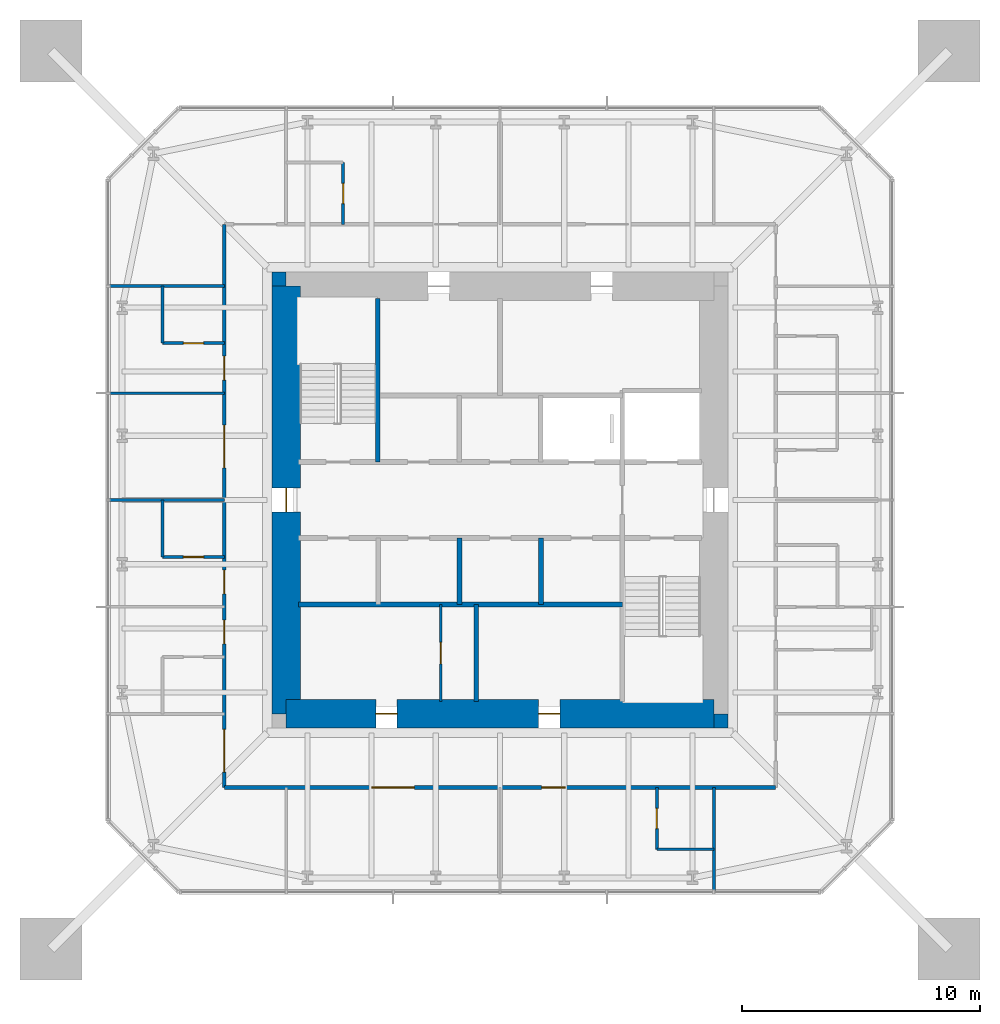
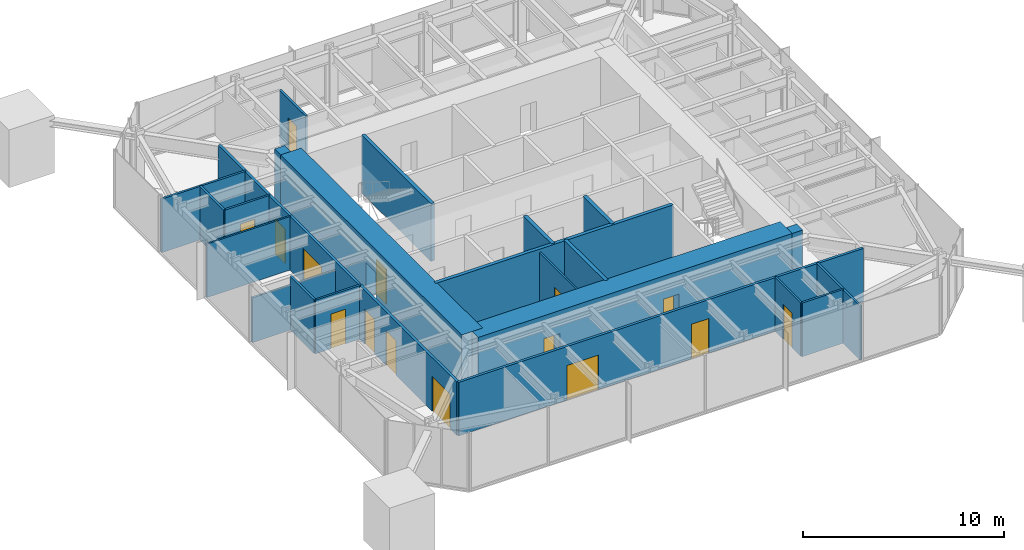
# One storey, part 6 of 9: 23 walls, 15 doors, 15 openings.
"""IFC4 building model written with IfcOpenShell, lengths in metres."""

from ifc_helpers import new_model, si_unit, direction, frame, frame_2d, origin, place, context, subcontext, project, spatial, rectangle, extrude, material, layer, layer_set, type_object, element, fill, save


model = new_model("IFC4")

# Units and contexts
model_context = context("Model", 3, precision=1e-05, world=origin(), true_north=direction((0.0, 1.0)))
body_context = subcontext(model_context, "Body", "Model", "MODEL_VIEW")
ifc_project = project(units=[si_unit("LENGTHUNIT", "METRE"), si_unit("AREAUNIT", "SQUARE_METRE"), si_unit("VOLUMEUNIT", "CUBIC_METRE"), si_unit("PLANEANGLEUNIT", "RADIAN"), si_unit("MASSUNIT", "GRAM", prefix="KILO")], contexts=[model_context])

# Site, building, storey
site_placement = place(None, origin())
site = spatial("IfcSite", under=ifc_project, at=site_placement, CompositionType="ELEMENT")
building_placement = place(site_placement, origin())
building = spatial("IfcBuilding", under=site, at=building_placement, Name="Iwan Alto Co-Living Towers", CompositionType="ELEMENT")
storey_placement = place(building_placement, frame((0.0, 0.0, 264.0)))
storey = spatial("IfcBuildingStorey", under=building, at=storey_placement, Name="L72", CompositionType="ELEMENT", Elevation=264.0)

# Wall, openings, doors
ifc_material_1 = material(Name="Gypsum board")
ifc_layer_1 = layer(ifc_material_1, 0.02490234375, Name="Board", Category="Finish")
ifc_material_2 = material(Name="Steel ASTM A1003 ST33H cold-formed studs", Category="steel")
ifc_layer_2 = layer(ifc_material_2, 0.10009765625, Name="Studs", Category="Framing")
ifc_layer_3 = layer(ifc_material_1, 0.02490234375, Name="Board", Category="Finish")
ifc_layer_set_1 = layer_set([ifc_layer_1, ifc_layer_2, ifc_layer_3], Name="CORRIDOR WALL 150")
wall_type_1 = type_object("IfcWallType", Name="CORRIDOR WALL 150", PredefinedType="PARTITIONING", material=ifc_layer_set_1)
wall_1_placement = place(storey_placement, frame((-11.60009765625, -12.10009765625, 0.0), z_axis=(0.0, 0.0, 1.0), x_axis=(1.0, 0.0, 0.0)))
wall_1 = element("IfcWall", 1, at=wall_1_placement, inside=storey, type_object=wall_type_1, Name="Partition L72", PredefinedType="PARTITIONING", context=body_context, shape_type="SweptSolid", body=[
    extrude(rectangle(XDim=23.2001953125, YDim=0.14990234375, at=frame_2d((11.60009765625, 0.0))), origin(), (0.0, 0.0, 1.0), 3.25),
])
opening_1_placement = place(wall_1_placement, frame((6.199951171875, 0.0, 0.0)))
opening_1 = element("IfcOpeningElement", 2, at=opening_1_placement, cuts=wall_1, Name="Opening D9", PredefinedType="OPENING", context=body_context, shape_type="SweptSolid", body=[
    extrude(rectangle(XDim=1.800048828125, YDim=2.10009765625, at=frame_2d((0.89990234375, 1.050048828125))), frame((0.0, 0.0849609375, 0.0), z_axis=(0.0, -1.0, 0.0), x_axis=(1.0, 0.0, 0.0)), (0.0, 0.0, 1.0), 0.169921875),
])
opening_2_placement = place(wall_1_placement, frame((13.35009765625, 0.0, 0.0)))
opening_2 = element("IfcOpeningElement", 3, at=opening_2_placement, cuts=wall_1, Name="Opening D3", PredefinedType="OPENING", context=body_context, shape_type="SweptSolid", body=[
    extrude(rectangle(XDim=1.0, YDim=2.10009765625, at=frame_2d((0.5, 1.050048828125))), frame((0.0, 0.0849609375, 0.0), z_axis=(0.0, -1.0, 0.0), x_axis=(1.0, 0.0, 0.0)), (0.0, 0.0, 1.0), 0.169921875),
])
ifc_material_3 = material(Name="Steel frame with timber leaf", Category="steel")
door_type_1 = type_object("IfcDoorType", Name="FLAT ENTRANCE DOOR FD30S 1000X2100", OperationType="SINGLE_SWING_LEFT", PredefinedType="DOOR", material=ifc_material_3)
door_1_placement = place(opening_2_placement, frame((1.0, 0.0, 0.0), z_axis=(0.0, 0.0, 1.0), x_axis=(-1.0, 0.0, 0.0)))
door_1 = element("IfcDoor", 4, at=door_1_placement, inside=storey, type_object=door_type_1, Name="Studio door L72", OperationType="SINGLE_SWING_RIGHT", OverallHeight=2.10009765625, OverallWidth=1.0, PredefinedType="DOOR", context=body_context, shape_type="SweptSolid", body=[
    extrude(rectangle(XDim=1.0, YDim=2.10009765625, at=frame_2d((0.5, 1.050048828125))), frame((0.0, 0.02490234375, 0.0), z_axis=(0.0, -1.0, 0.0), x_axis=(1.0, 0.0, 0.0)), (0.0, 0.0, 1.0), 0.050048828125),
])
fill(opening_2, door_1)
ifc_material_4 = material(Name="Steel frame with timber leaf", Category="steel")
door_type_2 = type_object("IfcDoorType", Name="LOUNGE DOOR FD30S 1800X2100", OperationType="DOUBLE_DOOR_SINGLE_SWING", PredefinedType="DOOR", material=ifc_material_4)
door_2_placement = place(opening_1_placement, frame((1.800048828125, 0.0, 0.0), z_axis=(0.0, 0.0, 1.0), x_axis=(-1.0, 0.0, 0.0)))
door_2 = element("IfcDoor", 5, at=door_2_placement, inside=storey, type_object=door_type_2, Name="Residents' club lounge door L72", OperationType="DOUBLE_DOOR_SINGLE_SWING", OverallHeight=2.10009765625, OverallWidth=1.800048828125, PredefinedType="DOOR", context=body_context, shape_type="SweptSolid", body=[
    extrude(rectangle(XDim=1.800048828125, YDim=2.10009765625, at=frame_2d((0.89990234375, 1.050048828125))), frame((0.0, 0.02490234375, 0.0), z_axis=(0.0, -1.0, 0.0), x_axis=(1.0, 0.0, 0.0)), (0.0, 0.0, 1.0), 0.050048828125),
])
fill(opening_1, door_2)

wall_2_placement = place(storey_placement, frame((-11.60009765625, -12.10009765625, 0.0), z_axis=(0.0, 0.0, 1.0), x_axis=(0.0, 1.0, 0.0)))
wall_2 = element("IfcWall", 6, at=wall_2_placement, inside=storey, type_object=wall_type_1, Name="Partition L72", PredefinedType="PARTITIONING", context=body_context, shape_type="SweptSolid", body=[
    extrude(rectangle(XDim=23.7001953125, YDim=0.14990234375, at=frame_2d((11.85009765625, 0.0))), origin(), (0.0, 0.0, 1.0), 3.25),
])
opening_3_placement = place(wall_2_placement, frame((17.14990234375, 0.0, 0.0)))
opening_3 = element("IfcOpeningElement", 7, at=opening_3_placement, cuts=wall_2, Name="Opening D3", PredefinedType="OPENING", context=body_context, shape_type="SweptSolid", body=[
    extrude(rectangle(XDim=1.0, YDim=2.10009765625, at=frame_2d((0.5, 1.050048828125))), frame((0.0, 0.0849609375, 0.0), z_axis=(0.0, -1.0, 0.0), x_axis=(1.0, 0.0, 0.0)), (0.0, 0.0, 1.0), 0.169921875),
])
opening_4_placement = place(wall_2_placement, frame((13.449951171875, 0.0, 0.0)))
opening_4 = element("IfcOpeningElement", 8, at=opening_4_placement, cuts=wall_2, Name="Opening D9", PredefinedType="OPENING", context=body_context, shape_type="SweptSolid", body=[
    extrude(rectangle(XDim=1.800048828125, YDim=2.10009765625, at=frame_2d((0.89990234375, 1.050048828125))), frame((0.0, 0.0849609375, 0.0), z_axis=(0.0, -1.0, 0.0), x_axis=(1.0, 0.0, 0.0)), (0.0, 0.0, 1.0), 0.169921875),
])
opening_5_placement = place(wall_2_placement, frame((8.14990234375, 0.0, 0.0)))
opening_5 = element("IfcOpeningElement", 9, at=opening_5_placement, cuts=wall_2, Name="Opening D3", PredefinedType="OPENING", context=body_context, shape_type="SweptSolid", body=[
    extrude(rectangle(XDim=1.0, YDim=2.10009765625, at=frame_2d((0.5, 1.050048828125))), frame((0.0, 0.0849609375, 0.0), z_axis=(0.0, -1.0, 0.0), x_axis=(1.0, 0.0, 0.0)), (0.0, 0.0, 1.0), 0.169921875),
])
opening_6_placement = place(wall_2_placement, frame((6.050048828125, 0.0, 0.0)))
opening_6 = element("IfcOpeningElement", 10, at=opening_6_placement, cuts=wall_2, Name="Opening D3", PredefinedType="OPENING", context=body_context, shape_type="SweptSolid", body=[
    extrude(rectangle(XDim=1.0, YDim=2.10009765625, at=frame_2d((0.5, 1.050048828125))), frame((0.0, 0.0849609375, 0.0), z_axis=(0.0, -1.0, 0.0), x_axis=(1.0, 0.0, 0.0)), (0.0, 0.0, 1.0), 0.169921875),
])
opening_7_placement = place(wall_2_placement, frame((0.64990234375, 0.0, 0.0)))
opening_7 = element("IfcOpeningElement", 11, at=opening_7_placement, cuts=wall_2, Name="Opening D9", PredefinedType="OPENING", context=body_context, shape_type="SweptSolid", body=[
    extrude(rectangle(XDim=1.800048828125, YDim=2.10009765625, at=frame_2d((0.89990234375, 1.050048828125))), frame((0.0, 0.0849609375, 0.0), z_axis=(0.0, -1.0, 0.0), x_axis=(1.0, 0.0, 0.0)), (0.0, 0.0, 1.0), 0.169921875),
])
door_3_placement = place(opening_3_placement, origin())
door_3 = element("IfcDoor", 12, at=door_3_placement, inside=storey, type_object=door_type_1, Name="Studio door L72", OperationType="SINGLE_SWING_LEFT", OverallHeight=2.10009765625, OverallWidth=1.0, PredefinedType="DOOR", context=body_context, shape_type="SweptSolid", body=[
    extrude(rectangle(XDim=1.0, YDim=2.10009765625, at=frame_2d((0.5, 1.050048828125))), frame((0.0, 0.02490234375, 0.0), z_axis=(0.0, -1.0, 0.0), x_axis=(1.0, 0.0, 0.0)), (0.0, 0.0, 1.0), 0.050048828125),
])
fill(opening_3, door_3)
door_4_placement = place(opening_5_placement, origin())
door_4 = element("IfcDoor", 13, at=door_4_placement, inside=storey, type_object=door_type_1, Name="Studio door L72", OperationType="SINGLE_SWING_LEFT", OverallHeight=2.10009765625, OverallWidth=1.0, PredefinedType="DOOR", context=body_context, shape_type="SweptSolid", body=[
    extrude(rectangle(XDim=1.0, YDim=2.10009765625, at=frame_2d((0.5, 1.050048828125))), frame((0.0, 0.02490234375, 0.0), z_axis=(0.0, -1.0, 0.0), x_axis=(1.0, 0.0, 0.0)), (0.0, 0.0, 1.0), 0.050048828125),
])
fill(opening_5, door_4)
door_5_placement = place(opening_6_placement, origin())
door_5 = element("IfcDoor", 14, at=door_5_placement, inside=storey, type_object=door_type_1, Name="Studio door L72", OperationType="SINGLE_SWING_LEFT", OverallHeight=2.10009765625, OverallWidth=1.0, PredefinedType="DOOR", context=body_context, shape_type="SweptSolid", body=[
    extrude(rectangle(XDim=1.0, YDim=2.10009765625, at=frame_2d((0.5, 1.050048828125))), frame((0.0, 0.02490234375, 0.0), z_axis=(0.0, -1.0, 0.0), x_axis=(1.0, 0.0, 0.0)), (0.0, 0.0, 1.0), 0.050048828125),
])
fill(opening_6, door_5)
door_6_placement = place(opening_4_placement, origin())
door_6 = element("IfcDoor", 15, at=door_6_placement, inside=storey, type_object=door_type_2, Name="Club dining room door L72", OperationType="DOUBLE_DOOR_SINGLE_SWING", OverallHeight=2.10009765625, OverallWidth=1.800048828125, PredefinedType="DOOR", context=body_context, shape_type="SweptSolid", body=[
    extrude(rectangle(XDim=1.800048828125, YDim=2.10009765625, at=frame_2d((0.89990234375, 1.050048828125))), frame((0.0, 0.02490234375, 0.0), z_axis=(0.0, -1.0, 0.0), x_axis=(1.0, 0.0, 0.0)), (0.0, 0.0, 1.0), 0.050048828125),
])
fill(opening_4, door_6)
door_7_placement = place(opening_7_placement, origin())
door_7 = element("IfcDoor", 16, at=door_7_placement, inside=storey, type_object=door_type_2, Name="Courtyard lounge door L72", OperationType="DOUBLE_DOOR_SINGLE_SWING", OverallHeight=2.10009765625, OverallWidth=1.800048828125, PredefinedType="DOOR", context=body_context, shape_type="SweptSolid", body=[
    extrude(rectangle(XDim=1.800048828125, YDim=2.10009765625, at=frame_2d((0.89990234375, 1.050048828125))), frame((0.0, 0.02490234375, 0.0), z_axis=(0.0, -1.0, 0.0), x_axis=(1.0, 0.0, 0.0)), (0.0, 0.0, 1.0), 0.050048828125),
])
fill(opening_7, door_7)

# Wall
ifc_layer_4 = layer(ifc_material_1, 0.012451171875, Name="Board", Category="Finish")
ifc_layer_5 = layer(ifc_material_2, 0.074951171875, Name="Studs", Category="Framing")
ifc_layer_6 = layer(ifc_material_1, 0.012451171875, Name="Board", Category="Finish")
ifc_layer_set_2 = layer_set([ifc_layer_4, ifc_layer_5, ifc_layer_6], Name="PARTITION 100")
wall_type_2 = type_object("IfcWallType", Name="PARTITION 100", PredefinedType="PARTITIONING", material=ifc_layer_set_2)
wall_3_placement = place(storey_placement, frame((-16.43994140625, 4.5, 0.0), z_axis=(0.0, 0.0, 1.0), x_axis=(1.0, 0.0, 0.0)))
element("IfcWall", 17, at=wall_3_placement, inside=storey, type_object=wall_type_2, Name="Partition L72", PredefinedType="PARTITIONING", context=body_context, shape_type="SweptSolid", body=[
    extrude(rectangle(XDim=4.83984375, YDim=0.10009765625, at=frame_2d((2.419921875, 0.0))), origin(), (0.0, 0.0, 1.0), 3.25),
])

# Wall, opening, door
wall_4_placement = place(storey_placement, frame((-2.5, -8.489990234375, 0.0), z_axis=(0.0, 0.0, 1.0), x_axis=(0.0, 1.0, 0.0)))
wall_4 = element("IfcWall", 18, at=wall_4_placement, inside=storey, type_object=wall_type_2, Name="Partition L72", PredefinedType="PARTITIONING", context=body_context, shape_type="SweptSolid", body=[
    extrude(rectangle(XDim=4.090087890625, YDim=0.10009765625, at=frame_2d((2.044921875, 0.0))), origin(), (0.0, 0.0, 1.0), 3.300048828125),
])
opening_8_placement = place(wall_4_placement, frame((1.594970703125, 0.0, 0.0)))
opening_8 = element("IfcOpeningElement", 19, at=opening_8_placement, cuts=wall_4, Name="Opening D16", PredefinedType="OPENING", context=body_context, shape_type="SweptSolid", body=[
    extrude(rectangle(XDim=0.89990234375, YDim=2.10009765625, at=frame_2d((0.449951171875, 1.050048828125))), frame((0.0, 0.06005859375, 0.0), z_axis=(0.0, -1.0, 0.0), x_axis=(1.0, 0.0, 0.0)), (0.0, 0.0, 1.0), 0.1201171875),
])
ifc_material_5 = material(Name="Timber leaf in steel frame", Category="steel")
door_type_3 = type_object("IfcDoorType", Name="CUPBOARD SLIDING DOOR 900X2100", OperationType="SLIDING_TO_LEFT", PredefinedType="DOOR", material=ifc_material_5)
door_8_placement = place(opening_8_placement, origin())
door_8 = element("IfcDoor", 20, at=door_8_placement, inside=storey, type_object=door_type_3, Name="Cleaner's store door L72", OperationType="SLIDING_TO_LEFT", OverallHeight=2.10009765625, OverallWidth=0.89990234375, PredefinedType="DOOR", context=body_context, shape_type="SweptSolid", body=[
    extrude(rectangle(XDim=0.89990234375, YDim=2.10009765625, at=frame_2d((0.449951171875, 1.050048828125))), frame((0.0, 0.02490234375, 0.0), z_axis=(0.0, -1.0, 0.0), x_axis=(1.0, 0.0, 0.0)), (0.0, 0.0, 1.0), 0.050048828125),
])
fill(opening_8, door_8)

# Walls
ifc_material_6 = material(Name="Concrete f'c 70 MPa", Category="concrete")
ifc_layer_7 = layer(ifc_material_6, 0.199951171875)
ifc_layer_set_3 = layer_set([ifc_layer_7], Name="SHAFT WALL 200")
wall_type_3 = type_object("IfcWallType", Name="SHAFT WALL 200", PredefinedType="SOLIDWALL", material=ifc_layer_set_3)
wall_5_placement = place(storey_placement, frame((-8.489990234375, -4.39990234375, 0.0), z_axis=(0.0, 0.0, 1.0), x_axis=(1.0, 0.0, 0.0)))
element("IfcWall", 21, at=wall_5_placement, inside=storey, type_object=wall_type_3, Name="Shaft wall L72", PredefinedType="SOLIDWALL", context=body_context, shape_type="SweptSolid", body=[
    extrude(rectangle(XDim=13.639892578125, YDim=0.199951171875, at=frame_2d((6.81982421875, 0.0))), origin(), (0.0, 0.0, 1.0), 3.5),
])
wall_6_placement = place(storey_placement, frame((1.72509765625, -4.39990234375, 0.0), z_axis=(0.0, 0.0, 1.0), x_axis=(0.0, 1.0, 0.0)))
element("IfcWall", 22, at=wall_6_placement, inside=storey, type_object=wall_type_3, Name="Shaft wall L72", PredefinedType="SOLIDWALL", context=body_context, shape_type="SweptSolid", body=[
    extrude(rectangle(XDim=2.7998046875, YDim=0.199951171875, at=frame_2d((1.39990234375, 0.0))), origin(), (0.0, 0.0, 1.0), 3.5),
])
wall_7_placement = place(storey_placement, frame((-1.0, -8.489990234375, 0.0), z_axis=(0.0, 0.0, 1.0), x_axis=(0.0, 1.0, 0.0)))
element("IfcWall", 23, at=wall_7_placement, inside=storey, type_object=wall_type_3, Name="Shaft wall L72", PredefinedType="SOLIDWALL", context=body_context, shape_type="SweptSolid", body=[
    extrude(rectangle(XDim=4.090087890625, YDim=0.199951171875, at=frame_2d((2.044921875, 0.0))), origin(), (0.0, 0.0, 1.0), 3.5),
])
wall_8_placement = place(storey_placement, frame((-1.699951171875, -4.39990234375, 0.0), z_axis=(0.0, 0.0, 1.0), x_axis=(0.0, 1.0, 0.0)))
element("IfcWall", 24, at=wall_8_placement, inside=storey, type_object=wall_type_3, Name="Shaft wall L72", PredefinedType="SOLIDWALL", context=body_context, shape_type="SweptSolid", body=[
    extrude(rectangle(XDim=2.7998046875, YDim=0.199951171875, at=frame_2d((1.39990234375, 0.0))), origin(), (0.0, 0.0, 1.0), 3.5),
])
wall_9_placement = place(storey_placement, frame((-5.14990234375, 1.60009765625, 0.0), z_axis=(0.0, 0.0, 1.0), x_axis=(0.0, 1.0, 0.0)))
element("IfcWall", 25, at=wall_9_placement, inside=storey, type_object=wall_type_3, Name="Shaft wall L72", PredefinedType="SOLIDWALL", context=body_context, shape_type="SweptSolid", body=[
    extrude(rectangle(XDim=6.889892578125, YDim=0.199951171875, at=frame_2d((3.44482421875, 0.0))), origin(), (0.0, 0.0, 1.0), 3.5),
])
ifc_material_7 = material(Name="Concrete f'c 70 MPa", Category="concrete")
ifc_layer_8 = layer(ifc_material_7, 0.60009765625)
ifc_layer_set_4 = layer_set([ifc_layer_8], Name="T1 CORE CORNER FILL 600")
wall_type_4 = type_object("IfcWallType", Name="T1 CORE CORNER FILL 600", PredefinedType="SOLIDWALL", material=ifc_layer_set_4)
for number, where, z_axis, x_axis, name in (
    (26, (9.0, -9.300048828125, 0.0), (0.0, 0.0, 1.0), (1.0, 0.0, 0.0), "T1 core corner SE L72"),
    (27, (-9.60009765625, 9.300048828125, 0.0), (0.0, 0.0, 1.0), (1.0, 0.0, 0.0), "T1 core corner NW L72"),
):
    element("IfcWall", number, at=place(storey_placement, frame(where, z_axis=z_axis, x_axis=x_axis)), inside=storey, type_object=wall_type_4, Name=name, PredefinedType="SOLIDWALL", context=body_context, shape_type="SweptSolid", body=[
        extrude(rectangle(XDim=0.60009765625, YDim=0.60009765625, at=frame_2d((0.300048828125, 0.0))), origin(), (0.0, 0.0, 1.0), 3.5),
    ])

# Wall, openings, doors
ifc_material_8 = material(Name="Concrete f'c 70 MPa", Category="concrete")
ifc_layer_9 = layer(ifc_material_8, 1.199951171875)
ifc_layer_set_5 = layer_set([ifc_layer_9], Name="T1 CORE WALL 1200")
wall_type_5 = type_object("IfcWallType", Name="T1 CORE WALL 1200", PredefinedType="SHEAR", material=ifc_layer_set_5)
wall_10_placement = place(storey_placement, frame((-9.0, -9.0, 0.0), z_axis=(0.0, 0.0, 1.0), x_axis=(1.0, 0.0, 0.0)))
wall_10 = element("IfcWall", 28, at=wall_10_placement, inside=storey, type_object=wall_type_5, Name="T1 core wall S L72", PredefinedType="SHEAR", context=body_context, shape_type="SweptSolid", body=[
    extrude(rectangle(XDim=18.0, YDim=1.199951171875, at=frame_2d((9.0, 0.0))), origin(), (0.0, 0.0, 1.0), 3.5),
])
opening_9_placement = place(wall_10_placement, frame((3.77490234375, 0.0, 0.0)))
opening_9 = element("IfcOpeningElement", 29, at=opening_9_placement, cuts=wall_10, Name="Opening D8", PredefinedType="OPENING", context=body_context, shape_type="SweptSolid", body=[
    extrude(rectangle(XDim=0.89990234375, YDim=2.10009765625, at=frame_2d((0.449951171875, 1.050048828125))), frame((0.0, 0.60986328125, 0.0), z_axis=(0.0, -1.0, 0.0), x_axis=(1.0, 0.0, 0.0)), (0.0, 0.0, 1.0), 1.219970703125),
])
opening_10_placement = place(wall_10_placement, frame((10.625, 0.0, 0.0)))
opening_10 = element("IfcOpeningElement", 30, at=opening_10_placement, cuts=wall_10, Name="Opening D8", PredefinedType="OPENING", context=body_context, shape_type="SweptSolid", body=[
    extrude(rectangle(XDim=0.89990234375, YDim=2.10009765625, at=frame_2d((0.449951171875, 1.050048828125))), frame((0.0, 0.60986328125, 0.0), z_axis=(0.0, -1.0, 0.0), x_axis=(1.0, 0.0, 0.0)), (0.0, 0.0, 1.0), 1.219970703125),
])
ifc_material_9 = material(Name="Steel frame with timber leaf", Category="steel")
door_type_4 = type_object("IfcDoorType", Name="RISER DOOR FD120 900X2100", OperationType="SINGLE_SWING_LEFT", PredefinedType="DOOR", material=ifc_material_9)
door_9_placement = place(opening_9_placement, origin())
door_9 = element("IfcDoor", 31, at=door_9_placement, inside=storey, type_object=door_type_4, Name="Refuse room core door L72", OperationType="SINGLE_SWING_RIGHT", OverallHeight=2.10009765625, OverallWidth=0.89990234375, PredefinedType="DOOR", context=body_context, shape_type="SweptSolid", body=[
    extrude(rectangle(XDim=0.89990234375, YDim=2.10009765625, at=frame_2d((0.449951171875, 1.050048828125))), frame((0.0, 0.02490234375, 0.0), z_axis=(0.0, -1.0, 0.0), x_axis=(1.0, 0.0, 0.0)), (0.0, 0.0, 1.0), 0.050048828125),
])
fill(opening_9, door_9)
door_10_placement = place(opening_10_placement, origin())
door_10 = element("IfcDoor", 32, at=door_10_placement, inside=storey, type_object=door_type_4, Name="Telecom riser core door L72", OperationType="SINGLE_SWING_LEFT", OverallHeight=2.10009765625, OverallWidth=0.89990234375, PredefinedType="DOOR", context=body_context, shape_type="SweptSolid", body=[
    extrude(rectangle(XDim=0.89990234375, YDim=2.10009765625, at=frame_2d((0.449951171875, 1.050048828125))), frame((0.0, 0.02490234375, 0.0), z_axis=(0.0, -1.0, 0.0), x_axis=(1.0, 0.0, 0.0)), (0.0, 0.0, 1.0), 0.050048828125),
])
fill(opening_10, door_10)

# Wall, opening, door
wall_11_placement = place(storey_placement, frame((-9.0, 9.0, 0.0), z_axis=(0.0, 0.0, 1.0), x_axis=(0.0, -1.0, 0.0)))
wall_11 = element("IfcWall", 33, at=wall_11_placement, inside=storey, type_object=wall_type_5, Name="T1 core wall W L72", PredefinedType="SHEAR", context=body_context, shape_type="SweptSolid", body=[
    extrude(rectangle(XDim=18.0, YDim=1.199951171875, at=frame_2d((9.0, 0.0))), origin(), (0.0, 0.0, 1.0), 3.5),
])
opening_11_placement = place(wall_11_placement, frame((8.5, 0.0, 0.0)))
opening_11 = element("IfcOpeningElement", 34, at=opening_11_placement, cuts=wall_11, Name="Opening D7", PredefinedType="OPENING", context=body_context, shape_type="SweptSolid", body=[
    extrude(rectangle(XDim=1.0, YDim=2.10009765625, at=frame_2d((0.5, 1.050048828125))), frame((0.0, 0.60986328125, 0.0), z_axis=(0.0, -1.0, 0.0), x_axis=(1.0, 0.0, 0.0)), (0.0, 0.0, 1.0), 1.219970703125),
])
ifc_material_10 = material(Name="Steel frame with timber leaf", Category="steel")
door_type_5 = type_object("IfcDoorType", Name="CORE DOOR FD120S 1000X2100", OperationType="SINGLE_SWING_LEFT", PredefinedType="DOOR", material=ifc_material_10)
door_11_placement = place(opening_11_placement, origin())
door_11 = element("IfcDoor", 35, at=door_11_placement, inside=storey, type_object=door_type_5, Name="Lift lobby core door L72", OperationType="SINGLE_SWING_RIGHT", OverallHeight=2.10009765625, OverallWidth=1.0, PredefinedType="DOOR", context=body_context, shape_type="SweptSolid", body=[
    extrude(rectangle(XDim=1.0, YDim=2.10009765625, at=frame_2d((0.5, 1.050048828125))), frame((0.0, 0.02490234375, 0.0), z_axis=(0.0, -1.0, 0.0), x_axis=(1.0, 0.0, 0.0)), (0.0, 0.0, 1.0), 0.050048828125),
])
fill(opening_11, door_11)

# Wall
ifc_material_11 = material(Name="Cement board")
ifc_layer_10 = layer(ifc_material_11, 0.012451171875, Name="Board", Category="Finish")
ifc_layer_11 = layer(ifc_material_2, 0.094970703125, Name="Studs", Category="Framing")
ifc_layer_12 = layer(ifc_material_11, 0.012451171875, Name="Board", Category="Finish")
ifc_layer_set_6 = layer_set([ifc_layer_10, ifc_layer_11, ifc_layer_12], Name="WET AREA PARTITION 120")
wall_type_6 = type_object("IfcWallType", Name="WET AREA PARTITION 120", PredefinedType="PARTITIONING", material=ifc_layer_set_6)
wall_12_placement = place(storey_placement, frame((6.60009765625, -14.699951171875, 0.0), z_axis=(0.0, 0.0, 1.0), x_axis=(1.0, 0.0, 0.0)))
element("IfcWall", 36, at=wall_12_placement, inside=storey, type_object=wall_type_6, Name="Partition L72", PredefinedType="PARTITIONING", context=body_context, shape_type="SweptSolid", body=[
    extrude(rectangle(XDim=2.39990234375, YDim=0.1201171875, at=frame_2d((1.199951171875, 0.0))), origin(), (0.0, 0.0, 1.0), 3.25),
])

# Wall, opening, door
wall_13_placement = place(storey_placement, frame((-14.199951171875, -2.39990234375, 0.0), z_axis=(0.0, 0.0, 1.0), x_axis=(1.0, 0.0, 0.0)))
wall_13 = element("IfcWall", 37, at=wall_13_placement, inside=storey, type_object=wall_type_6, Name="Partition L72", PredefinedType="PARTITIONING", context=body_context, shape_type="SweptSolid", body=[
    extrude(rectangle(XDim=2.599853515625, YDim=0.1201171875, at=frame_2d((1.2998046875, 0.0))), origin(), (0.0, 0.0, 1.0), 3.25),
])
opening_12_placement = place(wall_13_placement, frame((0.875, 0.0, 0.0)))
opening_12 = element("IfcOpeningElement", 38, at=opening_12_placement, cuts=wall_13, Name="Opening D2", PredefinedType="OPENING", context=body_context, shape_type="SweptSolid", body=[
    extrude(rectangle(XDim=0.85009765625, YDim=2.10009765625, at=frame_2d((0.425048828125, 1.050048828125))), frame((0.0, 0.070068359375, 0.0), z_axis=(0.0, -1.0, 0.0), x_axis=(1.0, 0.0, 0.0)), (0.0, 0.0, 1.0), 0.14013671875),
])
ifc_material_12 = material(Name="Timber leaf in steel frame", Category="steel")
door_type_6 = type_object("IfcDoorType", Name="ROOM DOOR 850X2100", OperationType="SINGLE_SWING_LEFT", PredefinedType="DOOR", material=ifc_material_12)
door_12_placement = place(opening_12_placement, frame((0.85009765625, 0.0, 0.0), z_axis=(0.0, 0.0, 1.0), x_axis=(-1.0, 0.0, 0.0)))
door_12 = element("IfcDoor", 39, at=door_12_placement, inside=storey, type_object=door_type_6, Name="En-suite shower room door L72", OperationType="SINGLE_SWING_LEFT", OverallHeight=2.10009765625, OverallWidth=0.85009765625, PredefinedType="DOOR", context=body_context, shape_type="SweptSolid", body=[
    extrude(rectangle(XDim=0.85009765625, YDim=2.10009765625, at=frame_2d((0.425048828125, 1.050048828125))), frame((0.0, 0.02490234375, 0.0), z_axis=(0.0, -1.0, 0.0), x_axis=(1.0, 0.0, 0.0)), (0.0, 0.0, 1.0), 0.050048828125),
])
fill(opening_12, door_12)

# Wall
wall_14_placement = place(storey_placement, frame((-16.43994140625, 0.0, 0.0), z_axis=(0.0, 0.0, 1.0), x_axis=(1.0, 0.0, 0.0)))
element("IfcWall", 40, at=wall_14_placement, inside=storey, type_object=wall_type_6, Name="Partition L72", PredefinedType="PARTITIONING", context=body_context, shape_type="SweptSolid", body=[
    extrude(rectangle(XDim=4.83984375, YDim=0.1201171875, at=frame_2d((2.419921875, 0.0))), origin(), (0.0, 0.0, 1.0), 2.716552734375),
])

# Wall, opening, door
wall_15_placement = place(storey_placement, frame((-14.199951171875, 6.60009765625, 0.0), z_axis=(0.0, 0.0, 1.0), x_axis=(1.0, 0.0, 0.0)))
wall_15 = element("IfcWall", 41, at=wall_15_placement, inside=storey, type_object=wall_type_6, Name="Partition L72", PredefinedType="PARTITIONING", context=body_context, shape_type="SweptSolid", body=[
    extrude(rectangle(XDim=2.599853515625, YDim=0.1201171875, at=frame_2d((1.2998046875, 0.0))), origin(), (0.0, 0.0, 1.0), 3.25),
])
opening_13_placement = place(wall_15_placement, frame((0.875, 0.0, 0.0)))
opening_13 = element("IfcOpeningElement", 42, at=opening_13_placement, cuts=wall_15, Name="Opening D2", PredefinedType="OPENING", context=body_context, shape_type="SweptSolid", body=[
    extrude(rectangle(XDim=0.85009765625, YDim=2.10009765625, at=frame_2d((0.425048828125, 1.050048828125))), frame((0.0, 0.070068359375, 0.0), z_axis=(0.0, -1.0, 0.0), x_axis=(1.0, 0.0, 0.0)), (0.0, 0.0, 1.0), 0.14013671875),
])
door_13_placement = place(opening_13_placement, frame((0.85009765625, 0.0, 0.0), z_axis=(0.0, 0.0, 1.0), x_axis=(-1.0, 0.0, 0.0)))
door_13 = element("IfcDoor", 43, at=door_13_placement, inside=storey, type_object=door_type_6, Name="En-suite shower room door L72", OperationType="SINGLE_SWING_LEFT", OverallHeight=2.10009765625, OverallWidth=0.85009765625, PredefinedType="DOOR", context=body_context, shape_type="SweptSolid", body=[
    extrude(rectangle(XDim=0.85009765625, YDim=2.10009765625, at=frame_2d((0.425048828125, 1.050048828125))), frame((0.0, 0.02490234375, 0.0), z_axis=(0.0, -1.0, 0.0), x_axis=(1.0, 0.0, 0.0)), (0.0, 0.0, 1.0), 0.050048828125),
])
fill(opening_13, door_13)

# Walls
wall_16_placement = place(storey_placement, frame((-16.43994140625, 9.0, 0.0), z_axis=(0.0, 0.0, 1.0), x_axis=(1.0, 0.0, 0.0)))
element("IfcWall", 44, at=wall_16_placement, inside=storey, type_object=wall_type_6, Name="Partition L72", PredefinedType="PARTITIONING", context=body_context, shape_type="SweptSolid", body=[
    extrude(rectangle(XDim=4.83984375, YDim=0.1201171875, at=frame_2d((2.419921875, 0.0))), origin(), (0.0, 0.0, 1.0), 3.25),
])
wall_17_placement = place(storey_placement, frame((9.0, -16.43994140625, 0.0), z_axis=(0.0, 0.0, 1.0), x_axis=(0.0, 1.0, 0.0)))
element("IfcWall", 45, at=wall_17_placement, inside=storey, type_object=wall_type_6, Name="Partition L72", PredefinedType="PARTITIONING", context=body_context, shape_type="SweptSolid", body=[
    extrude(rectangle(XDim=4.33984375, YDim=0.1201171875, at=frame_2d((2.169921875, 0.0))), origin(), (0.0, 0.0, 1.0), 3.25),
])

# Wall, opening, door
wall_18_placement = place(storey_placement, frame((6.60009765625, -14.699951171875, 0.0), z_axis=(0.0, 0.0, 1.0), x_axis=(0.0, 1.0, 0.0)))
wall_18 = element("IfcWall", 46, at=wall_18_placement, inside=storey, type_object=wall_type_6, Name="Partition L72", PredefinedType="PARTITIONING", context=body_context, shape_type="SweptSolid", body=[
    extrude(rectangle(XDim=2.599853515625, YDim=0.1201171875, at=frame_2d((1.2998046875, 0.0))), origin(), (0.0, 0.0, 1.0), 3.25),
])
opening_14_placement = place(wall_18_placement, frame((0.875, 0.0, 0.0)))
opening_14 = element("IfcOpeningElement", 47, at=opening_14_placement, cuts=wall_18, Name="Opening D2", PredefinedType="OPENING", context=body_context, shape_type="SweptSolid", body=[
    extrude(rectangle(XDim=0.85009765625, YDim=2.10009765625, at=frame_2d((0.425048828125, 1.050048828125))), frame((0.0, 0.070068359375, 0.0), z_axis=(0.0, -1.0, 0.0), x_axis=(1.0, 0.0, 0.0)), (0.0, 0.0, 1.0), 0.14013671875),
])
door_14_placement = place(opening_14_placement, origin())
door_14 = element("IfcDoor", 48, at=door_14_placement, inside=storey, type_object=door_type_6, Name="En-suite shower room door L72", OperationType="SINGLE_SWING_RIGHT", OverallHeight=2.10009765625, OverallWidth=0.85009765625, PredefinedType="DOOR", context=body_context, shape_type="SweptSolid", body=[
    extrude(rectangle(XDim=0.85009765625, YDim=2.10009765625, at=frame_2d((0.425048828125, 1.050048828125))), frame((0.0, 0.02490234375, 0.0), z_axis=(0.0, -1.0, 0.0), x_axis=(1.0, 0.0, 0.0)), (0.0, 0.0, 1.0), 0.050048828125),
])
fill(opening_14, door_14)

wall_19_placement = place(storey_placement, frame((-6.60009765625, 11.60009765625, 0.0), z_axis=(0.0, 0.0, 1.0), x_axis=(0.0, 1.0, 0.0)))
wall_19 = element("IfcWall", 49, at=wall_19_placement, inside=storey, type_object=wall_type_6, Name="Partition L72", PredefinedType="PARTITIONING", context=body_context, shape_type="SweptSolid", body=[
    extrude(rectangle(XDim=2.599853515625, YDim=0.1201171875, at=frame_2d((1.2998046875, 0.0))), origin(), (0.0, 0.0, 1.0), 3.25),
])
opening_15_placement = place(wall_19_placement, frame((0.875, 0.0, 0.0)))
opening_15 = element("IfcOpeningElement", 50, at=opening_15_placement, cuts=wall_19, Name="Opening D2", PredefinedType="OPENING", context=body_context, shape_type="SweptSolid", body=[
    extrude(rectangle(XDim=0.85009765625, YDim=2.10009765625, at=frame_2d((0.425048828125, 1.050048828125))), frame((0.0, 0.070068359375, 0.0), z_axis=(0.0, -1.0, 0.0), x_axis=(1.0, 0.0, 0.0)), (0.0, 0.0, 1.0), 0.14013671875),
])
door_15_placement = place(opening_15_placement, frame((0.85009765625, 0.0, 0.0), z_axis=(0.0, 0.0, 1.0), x_axis=(-1.0, 0.0, 0.0)))
door_15 = element("IfcDoor", 51, at=door_15_placement, inside=storey, type_object=door_type_6, Name="En-suite shower room door L72", OperationType="SINGLE_SWING_RIGHT", OverallHeight=2.10009765625, OverallWidth=0.85009765625, PredefinedType="DOOR", context=body_context, shape_type="SweptSolid", body=[
    extrude(rectangle(XDim=0.85009765625, YDim=2.10009765625, at=frame_2d((0.425048828125, 1.050048828125))), frame((0.0, 0.02490234375, 0.0), z_axis=(0.0, -1.0, 0.0), x_axis=(1.0, 0.0, 0.0)), (0.0, 0.0, 1.0), 0.050048828125),
])
fill(opening_15, door_15)

# Walls
for number, where, z_axis, x_axis, name in (
    (52, (-14.199951171875, -2.39990234375, 0.0), (0.0, 0.0, 1.0), (0.0, 1.0, 0.0), "Partition L72"),
    (53, (-14.199951171875, 6.60009765625, 0.0), (0.0, 0.0, 1.0), (0.0, 1.0, 0.0), "Partition L72"),
):
    element("IfcWall", number, at=place(storey_placement, frame(where, z_axis=z_axis, x_axis=x_axis)), inside=storey, type_object=wall_type_6, Name=name, PredefinedType="PARTITIONING", context=body_context, shape_type="SweptSolid", body=[
        extrude(rectangle(XDim=2.39990234375, YDim=0.1201171875, at=frame_2d((1.199951171875, 0.0))), origin(), (0.0, 0.0, 1.0), 3.25),
    ])

save(model, "model.ifc")
